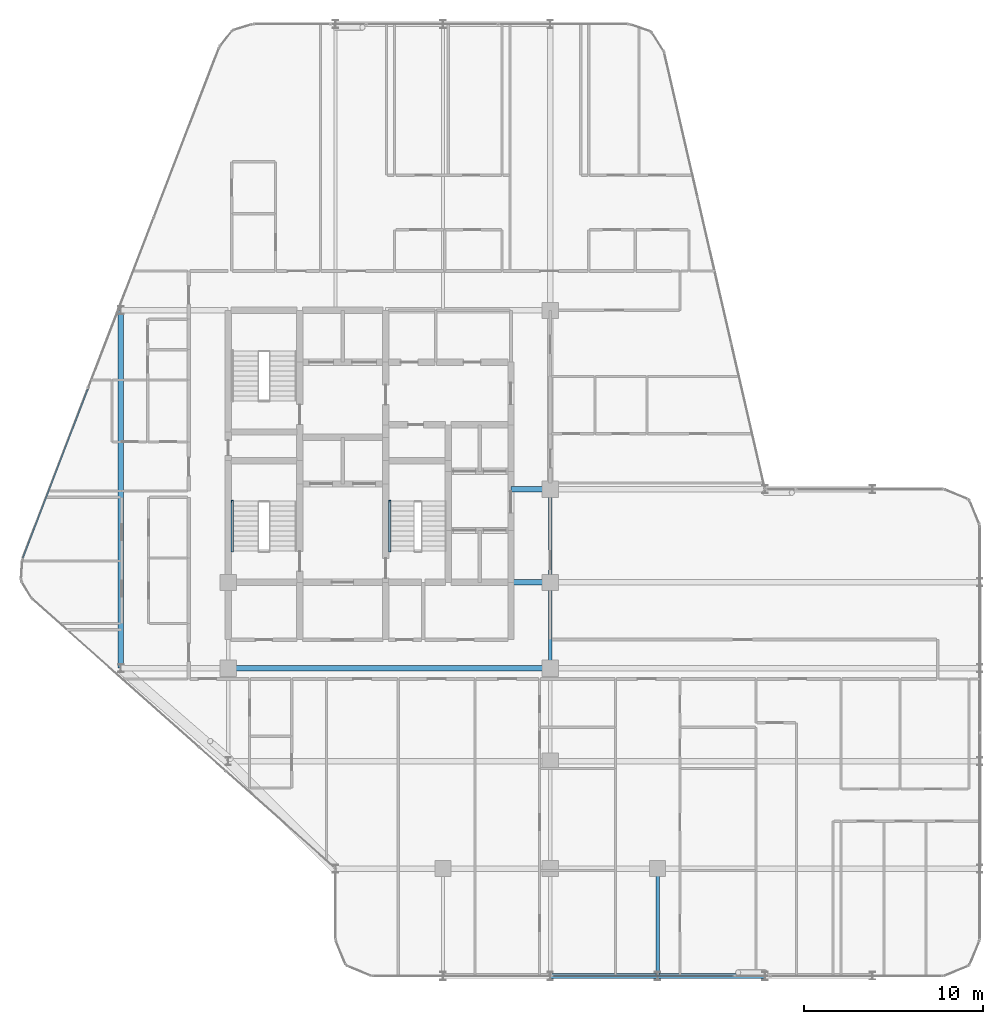
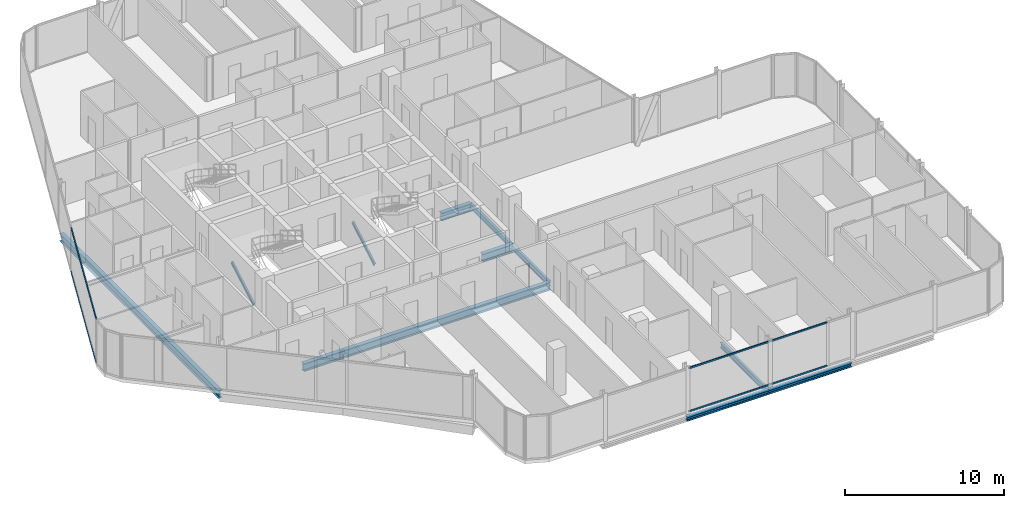
# One storey, part 9 of 29: 9 beams, 6 members, 2 elements without a shape of their own.
"""IFC4 building model written with IfcOpenShell, lengths in metres."""

from ifc_helpers import new_model, si_unit, direction, frame, origin, origin_2d, place, context, subcontext, project, spatial, hollow_rectangle, i_section, extrude, material, layer, layer_set, material_profile, profile_set, type_object, element, aggregate, save


model = new_model("IFC4")

# Units and contexts
model_context = context("Model", 3, precision=1e-05, world=origin(), true_north=direction((0.0, 1.0)))
body_context = subcontext(model_context, "Body", "Model", "MODEL_VIEW")
ifc_project = project(units=[si_unit("LENGTHUNIT", "METRE"), si_unit("AREAUNIT", "SQUARE_METRE"), si_unit("VOLUMEUNIT", "CUBIC_METRE"), si_unit("PLANEANGLEUNIT", "RADIAN"), si_unit("MASSUNIT", "GRAM", prefix="KILO")], contexts=[model_context])

# Site, building, storey
site_placement = place(None, origin())
site = spatial("IfcSite", under=ifc_project, at=site_placement, CompositionType="ELEMENT")
building_placement = place(site_placement, origin())
building = spatial("IfcBuilding", under=site, at=building_placement, Name="Keshet Zoharim Tower", CompositionType="ELEMENT")
storey_placement = place(building_placement, frame((0.0, 0.0, 199.5)))
storey = spatial("IfcBuildingStorey", under=building, at=storey_placement, Name="L49", CompositionType="ELEMENT", Elevation=199.5)

# Beams
ifc_material_1 = material(Name="Steel S355", Category="steel")
ifc_material_profile_1 = material_profile(ifc_material_1, i_section(OverallWidth=0.300048828125, OverallDepth=0.60009765625, WebThickness=0.015380859375, FlangeThickness=0.030029296875, FilletRadius=0.027099609375, at=origin_2d()), Name="HEB600")
ifc_profile_set_1 = profile_set([ifc_material_profile_1], Name="Steel S355")
beam_type_1 = type_object("IfcBeamType", Name="BM-CLK-HB600", PredefinedType="BEAM", material=ifc_profile_set_1)
for number, where, z_axis, x_axis, name in (
    (1, (30.800048828125, 22.699951171875, -0.610107421875), (1.0, 0.0, 0.0), (0.0, 1.0, 0.0), "L49 Core Wall Link Girder 01"),
    (2, (30.800048828125, 27.89990234375, -0.610107421875), (1.0, 0.0, 0.0), (0.0, 1.0, 0.0), "L49 Core Wall Link Girder 02"),
):
    element("IfcBeam", number, at=place(storey_placement, frame(where, z_axis=z_axis, x_axis=x_axis)), inside=storey, type_object=beam_type_1, Name=name, PredefinedType="BEAM", context=body_context, shape_type="SweptSolid", body=[
        extrude(i_section(OverallWidth=0.300048828125, OverallDepth=0.60009765625, WebThickness=0.015380859375, FlangeThickness=0.030029296875, FilletRadius=0.027099609375, at=origin_2d()), origin(), (0.0, 0.0, 1.0), 2.199951171875),
    ])
ifc_material_profile_2 = material_profile(ifc_material_1, i_section(OverallWidth=0.300048828125, OverallDepth=0.60009765625, WebThickness=0.015380859375, FlangeThickness=0.030029296875, FilletRadius=0.027099609375, at=origin_2d()), Name="HEB600")
ifc_profile_set_2 = profile_set([ifc_material_profile_2], Name="Steel S355")
beam_type_2 = type_object("IfcBeamType", Name="BM-LNG-HB600", PredefinedType="BEAM", material=ifc_profile_set_2)
beam_1_placement = place(storey_placement, frame((15.0, 17.89990234375, -0.610107421875), z_axis=(1.0, 0.0, 0.0), x_axis=(0.0, 1.0, 0.0)))
element("IfcBeam", 3, at=beam_1_placement, inside=storey, type_object=beam_type_2, Name="L49 Primary Girder X-012", PredefinedType="BEAM", context=body_context, shape_type="SweptSolid", body=[
    extrude(i_section(OverallWidth=0.300048828125, OverallDepth=0.60009765625, WebThickness=0.015380859375, FlangeThickness=0.030029296875, FilletRadius=0.027099609375, at=origin_2d()), origin(), (0.0, 0.0, 1.0), 18.0),
])
beam_2_placement = place(storey_placement, frame((9.0, 17.89990234375, -0.610107421875), z_axis=(0.0, 1.0, 0.0), x_axis=(-1.0, 0.0, 0.0)))
element("IfcBeam", 4, at=beam_2_placement, inside=storey, type_object=beam_type_2, Name="L49 Primary Girder Y-001", PredefinedType="BEAM", context=body_context, shape_type="SweptSolid", body=[
    extrude(i_section(OverallWidth=0.300048828125, OverallDepth=0.60009765625, WebThickness=0.015380859375, FlangeThickness=0.030029296875, FilletRadius=0.027099609375, at=origin_2d()), origin(), (0.0, 0.0, 1.0), 20.0),
])
ifc_material_profile_3 = material_profile(ifc_material_1, i_section(OverallWidth=0.300048828125, OverallDepth=0.300048828125, WebThickness=0.010986328125, FlangeThickness=0.01904296875, FilletRadius=0.027099609375, at=origin_2d()), Name="HEB300")
ifc_profile_set_3 = profile_set([ifc_material_profile_3], Name="Steel S355")
beam_type_3 = type_object("IfcBeamType", Name="BM-PRI-HB300", PredefinedType="BEAM", material=ifc_profile_set_3)
for number, where, z_axis, x_axis, name in (
    (5, (33.0, 0.699951171875, -0.4599609375), (1.0, 0.0, 0.0), (0.0, 1.0, 0.0), "L49 Primary Girder X-002"),
    (6, (39.0, 0.699951171875, -0.4599609375), (1.0, 0.0, 0.0), (0.0, 1.0, 0.0), "L49 Primary Girder X-003"),
):
    element("IfcBeam", number, at=place(storey_placement, frame(where, z_axis=z_axis, x_axis=x_axis)), inside=storey, type_object=beam_type_3, Name=name, PredefinedType="BEAM", context=body_context, shape_type="SweptSolid", body=[
        extrude(i_section(OverallWidth=0.300048828125, OverallDepth=0.300048828125, WebThickness=0.010986328125, FlangeThickness=0.01904296875, FilletRadius=0.027099609375, at=origin_2d()), origin(), (0.0, 0.0, 1.0), 6.0),
    ])
ifc_material_profile_4 = material_profile(ifc_material_1, i_section(OverallWidth=0.179931640625, OverallDepth=0.39990234375, WebThickness=0.008544921875, FlangeThickness=0.013427734375, FilletRadius=0.02099609375, at=origin_2d()), Name="IPE400")
ifc_profile_set_4 = profile_set([ifc_material_profile_4], Name="Steel S355")
beam_type_4 = type_object("IfcBeamType", Name="BM-PRI-IP400", PredefinedType="BEAM", material=ifc_profile_set_4)
beam_3_placement = place(storey_placement, frame((33.0, 17.89990234375, -0.510009765625), z_axis=(0.0, 1.0, 0.0), x_axis=(-1.0, 0.0, 0.0)))
element("IfcBeam", 7, at=beam_3_placement, inside=storey, type_object=beam_type_4, Name="L49 Primary Girder Y-008", PredefinedType="BEAM", context=body_context, shape_type="SweptSolid", body=[
    extrude(i_section(OverallWidth=0.179931640625, OverallDepth=0.39990234375, WebThickness=0.008544921875, FlangeThickness=0.013427734375, FilletRadius=0.02099609375, at=origin_2d()), origin(), (0.0, 0.0, 1.0), 4.800048828125),
])
beam_4_placement = place(storey_placement, frame((33.0, 22.699951171875, -0.510009765625), z_axis=(0.0, 1.0, 0.0), x_axis=(-1.0, 0.0, 0.0)))
element("IfcBeam", 8, at=beam_4_placement, inside=storey, type_object=beam_type_4, Name="L49 Primary Girder Y-009", PredefinedType="BEAM", context=body_context, shape_type="SweptSolid", body=[
    extrude(i_section(OverallWidth=0.179931640625, OverallDepth=0.39990234375, WebThickness=0.008544921875, FlangeThickness=0.013427734375, FilletRadius=0.02099609375, at=origin_2d()), origin(), (0.0, 0.0, 1.0), 5.199951171875),
])
beam_5_placement = place(storey_placement, frame((39.0, 0.699951171875, -0.510009765625), z_axis=(0.0, 1.0, 0.0), x_axis=(-1.0, 0.0, 0.0)))
element("IfcBeam", 9, at=beam_5_placement, inside=storey, type_object=beam_type_4, Name="L49 Primary Girder Y-012", PredefinedType="BEAM", context=body_context, shape_type="SweptSolid", body=[
    extrude(i_section(OverallWidth=0.179931640625, OverallDepth=0.39990234375, WebThickness=0.008544921875, FlangeThickness=0.013427734375, FilletRadius=0.02099609375, at=origin_2d()), origin(), (0.0, 0.0, 1.0), 6.0),
])

# Curtain wall, members
ifc_material_2 = material(Name="Aluminium 6063-T6", Category="aluminium")
ifc_layer = layer(ifc_material_2, 0.139892578125)
ifc_layer_set = layer_set([ifc_layer], Name="Aluminium 6063-T6")
curtain_wall_type = type_object("IfcCurtainWallType", Name="CW-SYS-05", PredefinedType="NOTDEFINED", material=ifc_layer_set)
curtain_wall_1_placement = place(storey_placement, origin())
curtain_wall_1 = element("IfcCurtainWall", 10, at=curtain_wall_1_placement, inside=storey, type_object=curtain_wall_type, Name="L49 Unitised Curtain Wall 06 Part 3", PredefinedType="NOTDEFINED")
ifc_material_profile_5 = material_profile(ifc_material_2, hollow_rectangle(XDim=0.074951171875, YDim=0.1201171875, WallThickness=0.00390625, at=origin_2d()), Name="TRN-75x120")
ifc_profile_set_5 = profile_set([ifc_material_profile_5], Name="Aluminium 6063-T6")
member_type_1 = type_object("IfcMemberType", Name="CWT-T12", PredefinedType="USERDEFINED", material=ifc_profile_set_5)
member_1_placement = place(storey_placement, frame((43.251953125, 0.699951171875, 0.034912109375), z_axis=(-1.0, 0.0, 0.0), x_axis=(0.0, -1.0, 0.0)))
member_1 = element("IfcMember", 11, at=member_1_placement, type_object=member_type_1, Name="CW-05 transom 1.1", ObjectType="TRANSOM", PredefinedType="USERDEFINED", context=body_context, shape_type="SweptSolid", body=[
    extrude(hollow_rectangle(XDim=0.074951171875, YDim=0.1201171875, WallThickness=0.00390625, at=origin_2d()), origin(), (0.0, 0.0, 1.0), 10.091064453125),
])
member_2_placement = place(storey_placement, frame((43.251953125, 0.699951171875, 3.35498046875), z_axis=(-1.0, 0.0, 0.0), x_axis=(0.0, -1.0, 0.0)))
member_2 = element("IfcMember", 12, at=member_2_placement, type_object=member_type_1, Name="CW-05 transom 1.2", ObjectType="TRANSOM", PredefinedType="USERDEFINED", context=body_context, shape_type="SweptSolid", body=[
    extrude(hollow_rectangle(XDim=0.074951171875, YDim=0.1201171875, WallThickness=0.00390625, at=origin_2d()), origin(), (0.0, 0.0, 1.0), 10.091064453125),
])
aggregate(curtain_wall_1, [member_1, member_2])

curtain_wall_2_placement = place(storey_placement, origin())
curtain_wall_2 = element("IfcCurtainWall", 13, at=curtain_wall_2_placement, inside=storey, type_object=curtain_wall_type, Name="L49 Unitised Curtain Wall 13", PredefinedType="NOTDEFINED")
member_3_placement = place(storey_placement, frame((3.522216796875, 24.058349609375, 0.034912109375), z_axis=(0.358993631387, 0.93334000912, 0.0), x_axis=(-0.93334000912, 0.358993631387, 0.0)))
member_3 = element("IfcMember", 14, at=member_3_placement, type_object=member_type_1, Name="CW-05 transom 1.1", ObjectType="TRANSOM", PredefinedType="USERDEFINED", context=body_context, shape_type="SweptSolid", body=[
    extrude(hollow_rectangle(XDim=0.074951171875, YDim=0.1201171875, WallThickness=0.00390625, at=origin_2d()), origin(), (0.0, 0.0, 1.0), 10.1181640625),
])
member_4_placement = place(storey_placement, frame((3.522216796875, 24.058349609375, 3.35498046875), z_axis=(0.358993631387, 0.93334000912, 0.0), x_axis=(-0.93334000912, 0.358993631387, 0.0)))
member_4 = element("IfcMember", 15, at=member_4_placement, type_object=member_type_1, Name="CW-05 transom 1.2", ObjectType="TRANSOM", PredefinedType="USERDEFINED", context=body_context, shape_type="SweptSolid", body=[
    extrude(hollow_rectangle(XDim=0.074951171875, YDim=0.1201171875, WallThickness=0.00390625, at=origin_2d()), origin(), (0.0, 0.0, 1.0), 10.1181640625),
])
aggregate(curtain_wall_2, [member_3, member_4])

# Members
ifc_material_profile_6 = material_profile(ifc_material_1, i_section(OverallWidth=0.1201171875, OverallDepth=0.239990234375, WebThickness=0.006103515625, FlangeThickness=0.009765625, FilletRadius=0.014892578125, at=origin_2d()), Name="IPE240")
ifc_profile_set_6 = profile_set([ifc_material_profile_6], Name="Steel S355")
member_type_2 = type_object("IfcMemberType", Name="MB-STRG-IP240", PredefinedType="STRINGER", material=ifc_profile_set_6)
for number, where, z_axis, x_axis, name in (
    (16, (15.22998046875, 24.43994140625, 0.1201171875), (0.0, 0.866928350432, 0.498432779035), (-1.0, 0.0, 0.0), "L49 ST-01 Flight Steel Stringer"),
    (17, (24.030029296875, 24.43994140625, 0.1201171875), (0.0, 0.866928350432, 0.498432779035), (-1.0, 0.0, 0.0), "L49 ST-03 Flight Steel Stringer"),
):
    element("IfcMember", number, at=place(storey_placement, frame(where, z_axis=z_axis, x_axis=x_axis)), inside=storey, type_object=member_type_2, Name=name, PredefinedType="STRINGER", context=body_context, shape_type="SweptSolid", body=[
        extrude(i_section(OverallWidth=0.1201171875, OverallDepth=0.239990234375, WebThickness=0.006103515625, FlangeThickness=0.009765625, FilletRadius=0.014892578125, at=origin_2d()), origin(), (0.0, 0.0, 1.0), 3.229736328125),
    ])

save(model, "model.ifc")
